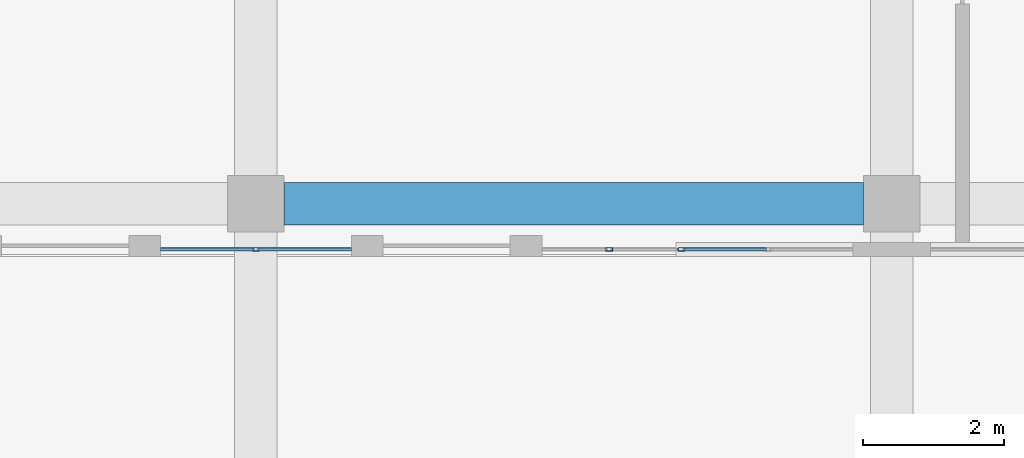
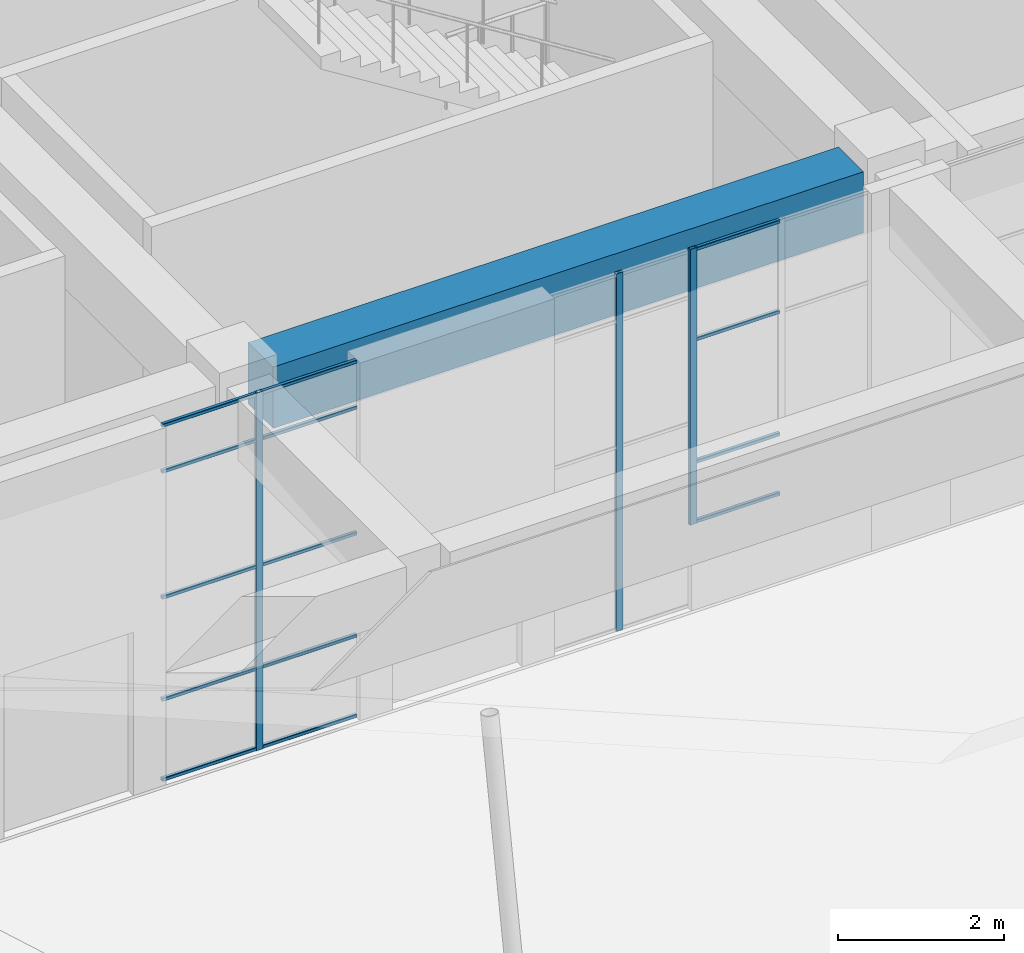
# One storey, part 31 of 72: 17 members, 1 beam, 3 elements without a shape of their own.
"""IFC4 building model written with IfcOpenShell, lengths in metres."""

from ifc_helpers import new_model, si_unit, direction, frame, origin, origin_2d, place, context, subcontext, project, spatial, rectangle, hollow_rectangle, extrude, material, layer, layer_set, material_profile, profile_set, type_object, element, aggregate, save


model = new_model("IFC4")

# Units and contexts
model_context = context("Model", 3, precision=1e-05, world=origin(), true_north=direction((0.0, 1.0)))
body_context = subcontext(model_context, "Body", "Model", "MODEL_VIEW")
ifc_project = project(units=[si_unit("LENGTHUNIT", "METRE"), si_unit("AREAUNIT", "SQUARE_METRE"), si_unit("VOLUMEUNIT", "CUBIC_METRE"), si_unit("PLANEANGLEUNIT", "RADIAN"), si_unit("MASSUNIT", "GRAM", prefix="KILO")], contexts=[model_context])

# Site, building, storey
site_placement = place(None, origin())
site = spatial("IfcSite", under=ifc_project, at=site_placement, CompositionType="ELEMENT")
building_placement = place(site_placement, origin())
building = spatial("IfcBuilding", under=site, at=building_placement, Name="Tuart Plaza Theatre", CompositionType="ELEMENT")
storey_placement = place(building_placement, origin())
storey = spatial("IfcBuildingStorey", under=building, at=storey_placement, Name="L00", CompositionType="ELEMENT", Elevation=0.0)

# Beam
ifc_material_1 = material(Name="Concrete N40 (40 MPa)", Category="concrete")
ifc_material_profile_1 = material_profile(ifc_material_1, rectangle(XDim=0.60009765625, YDim=0.89990234375, at=origin_2d()), Name="BEAM 600x900 Concrete N40 (40 MPa)")
ifc_profile_set_1 = profile_set([ifc_material_profile_1], Name="Concrete N40 (40 MPa)")
beam_type = type_object("IfcBeamType", Name="BEAM 600x900 Concrete N40 (40 MPa)", PredefinedType="BEAM", material=ifc_profile_set_1)
beam_placement = place(storey_placement, frame((132.39990234375, 56.0, 4.800048828125), z_axis=(1.0, 0.0, 0.0), x_axis=(0.0, 1.0, 0.0)))
element("IfcBeam", 1, at=beam_placement, inside=storey, type_object=beam_type, Name="RB144", PredefinedType="BEAM", context=body_context, shape_type="SweptSolid", body=[
    extrude(rectangle(XDim=0.60009765625, YDim=0.89990234375, at=origin_2d()), origin(), (0.0, 0.0, 1.0), 8.2001953125),
])

# Curtain wall, member
ifc_material_2 = material(Name="Aluminium and glass", Category="aluminium")
ifc_layer_1 = layer(ifc_material_2, 0.10009765625)
ifc_layer_set_1 = layer_set([ifc_layer_1], Name="CURTAIN WALL 1400 module")
curtain_wall_type_1 = type_object("IfcCurtainWallType", Name="CURTAIN WALL 1400 module", PredefinedType="NOTDEFINED", material=ifc_layer_set_1)
curtain_wall_1_placement = place(storey_placement, origin())
curtain_wall_1 = element("IfcCurtainWall", 2, at=curtain_wall_1_placement, inside=storey, type_object=curtain_wall_type_1, Name="CW63", PredefinedType="NOTDEFINED")
ifc_material_3 = material(Name="Aluminium 6063-T5", Category="aluminium")
ifc_material_profile_2 = material_profile(ifc_material_3, hollow_rectangle(XDim=0.050048828125, YDim=0.10009765625, WallThickness=0.00390625, InnerFilletRadius=0.00390625, OuterFilletRadius=0.008056640625, at=origin_2d()), Name="RHS 100x50x4")
ifc_profile_set_2 = profile_set([ifc_material_profile_2], Name="Aluminium 6063-T5")
member_type_1 = type_object("IfcMemberType", Name="MULLION RHS 100x50x4", PredefinedType="MULLION", material=ifc_profile_set_2)
member_1_placement = place(storey_placement, frame((132.0, 55.35009765625, 0.0), z_axis=(0.0, 0.0, 1.0), x_axis=(0.0, 1.0, 0.0)))
member_1 = element("IfcMember", 3, at=member_1_placement, type_object=member_type_1, Name="CW63 mullion 2", PredefinedType="MULLION", context=body_context, shape_type="SweptSolid", body=[
    extrude(hollow_rectangle(XDim=0.050048828125, YDim=0.10009765625, WallThickness=0.00390625, InnerFilletRadius=0.00390625, OuterFilletRadius=0.008056640625, at=origin_2d()), origin(), (0.0, 0.0, 1.0), 5.25),
])

ifc_material_4 = material(Name="Aluminium and glass", Category="aluminium")
ifc_layer_2 = layer(ifc_material_4, 0.10009765625)
ifc_layer_set_2 = layer_set([ifc_layer_2], Name="CURTAIN WALL 1000 module")
curtain_wall_type_2 = type_object("IfcCurtainWallType", Name="CURTAIN WALL 1000 module", PredefinedType="NOTDEFINED", material=ifc_layer_set_2)
curtain_wall_2_placement = place(storey_placement, origin())
curtain_wall_2 = element("IfcCurtainWall", 4, at=curtain_wall_2_placement, inside=storey, type_object=curtain_wall_type_2, Name="CW64", PredefinedType="NOTDEFINED")
member_2_placement = place(storey_placement, frame((137.0, 55.35009765625, 0.0), z_axis=(0.0, 0.0, 1.0), x_axis=(0.0, 1.0, 0.0)))
member_2 = element("IfcMember", 5, at=member_2_placement, type_object=member_type_1, Name="CW64 mullion 2", PredefinedType="MULLION", context=body_context, shape_type="SweptSolid", body=[
    extrude(hollow_rectangle(XDim=0.050048828125, YDim=0.10009765625, WallThickness=0.00390625, InnerFilletRadius=0.00390625, OuterFilletRadius=0.008056640625, at=origin_2d()), origin(), (0.0, 0.0, 1.0), 5.25),
])
aggregate(curtain_wall_2, [member_2])

ifc_material_5 = material(Name="Aluminium and glass", Category="aluminium")
ifc_layer_3 = layer(ifc_material_5, 0.10009765625)
ifc_layer_set_3 = layer_set([ifc_layer_3], Name="CURTAIN WALL 1250 module")
curtain_wall_type_3 = type_object("IfcCurtainWallType", Name="CURTAIN WALL 1250 module", PredefinedType="NOTDEFINED", material=ifc_layer_set_3)
curtain_wall_3_placement = place(storey_placement, origin())
curtain_wall_3 = element("IfcCurtainWall", 6, at=curtain_wall_3_placement, inside=storey, type_object=curtain_wall_type_3, Name="CW65", PredefinedType="NOTDEFINED")
member_3_placement = place(storey_placement, frame((138.02490234375, 55.35009765625, 1.199951171875), z_axis=(0.0, 0.0, 1.0), x_axis=(0.0, 1.0, 0.0)))
member_3 = element("IfcMember", 7, at=member_3_placement, type_object=member_type_1, Name="CW65 mullion 1", PredefinedType="MULLION", context=body_context, shape_type="SweptSolid", body=[
    extrude(hollow_rectangle(XDim=0.050048828125, YDim=0.10009765625, WallThickness=0.00390625, InnerFilletRadius=0.00390625, OuterFilletRadius=0.008056640625, at=origin_2d()), origin(), (0.0, 0.0, 1.0), 4.050048828125),
])

# Member
ifc_material_6 = material(Name="Aluminium 6063-T5", Category="aluminium")
ifc_material_profile_3 = material_profile(ifc_material_6, hollow_rectangle(XDim=0.050048828125, YDim=0.050048828125, WallThickness=0.00390625, InnerFilletRadius=0.00390625, OuterFilletRadius=0.008056640625, at=origin_2d()), Name="RHS 50x50x4")
ifc_profile_set_3 = profile_set([ifc_material_profile_3], Name="Aluminium 6063-T5")
member_type_2 = type_object("IfcMemberType", Name="TRANSOM RHS 50x50x4", PredefinedType="USERDEFINED", material=ifc_profile_set_3)
member_4_placement = place(storey_placement, frame((130.64990234375, 55.35009765625, 0.02490234375), z_axis=(1.0, 0.0, 0.0), x_axis=(0.0, 1.0, 0.0)))
member_4 = element("IfcMember", 8, at=member_4_placement, type_object=member_type_2, Name="CW63 transom 1.1", ObjectType="TRANSOM", PredefinedType="USERDEFINED", context=body_context, shape_type="SweptSolid", body=[
    extrude(hollow_rectangle(XDim=0.050048828125, YDim=0.050048828125, WallThickness=0.00390625, InnerFilletRadius=0.00390625, OuterFilletRadius=0.008056640625, at=origin_2d()), origin(), (0.0, 0.0, 1.0), 1.3251953125),
])

member_5_placement = place(storey_placement, frame((130.64990234375, 55.35009765625, 1.199951171875), z_axis=(1.0, 0.0, 0.0), x_axis=(0.0, 1.0, 0.0)))
member_5 = element("IfcMember", 9, at=member_5_placement, type_object=member_type_2, Name="CW63 transom 1.2", ObjectType="TRANSOM", PredefinedType="USERDEFINED", context=body_context, shape_type="SweptSolid", body=[
    extrude(hollow_rectangle(XDim=0.050048828125, YDim=0.050048828125, WallThickness=0.00390625, InnerFilletRadius=0.00390625, OuterFilletRadius=0.008056640625, at=origin_2d()), origin(), (0.0, 0.0, 1.0), 1.3251953125),
])

member_6_placement = place(storey_placement, frame((130.64990234375, 55.35009765625, 2.699951171875), z_axis=(1.0, 0.0, 0.0), x_axis=(0.0, 1.0, 0.0)))
member_6 = element("IfcMember", 10, at=member_6_placement, type_object=member_type_2, Name="CW63 transom 1.3", ObjectType="TRANSOM", PredefinedType="USERDEFINED", context=body_context, shape_type="SweptSolid", body=[
    extrude(hollow_rectangle(XDim=0.050048828125, YDim=0.050048828125, WallThickness=0.00390625, InnerFilletRadius=0.00390625, OuterFilletRadius=0.008056640625, at=origin_2d()), origin(), (0.0, 0.0, 1.0), 1.3251953125),
])

member_7_placement = place(storey_placement, frame((130.64990234375, 55.35009765625, 4.550048828125), z_axis=(1.0, 0.0, 0.0), x_axis=(0.0, 1.0, 0.0)))
member_7 = element("IfcMember", 11, at=member_7_placement, type_object=member_type_2, Name="CW63 transom 1.4", ObjectType="TRANSOM", PredefinedType="USERDEFINED", context=body_context, shape_type="SweptSolid", body=[
    extrude(hollow_rectangle(XDim=0.050048828125, YDim=0.050048828125, WallThickness=0.00390625, InnerFilletRadius=0.00390625, OuterFilletRadius=0.008056640625, at=origin_2d()), origin(), (0.0, 0.0, 1.0), 1.3251953125),
])

member_8_placement = place(storey_placement, frame((130.64990234375, 55.35009765625, 5.22509765625), z_axis=(1.0, 0.0, 0.0), x_axis=(0.0, 1.0, 0.0)))
member_8 = element("IfcMember", 12, at=member_8_placement, type_object=member_type_2, Name="CW63 transom 1.5", ObjectType="TRANSOM", PredefinedType="USERDEFINED", context=body_context, shape_type="SweptSolid", body=[
    extrude(hollow_rectangle(XDim=0.050048828125, YDim=0.050048828125, WallThickness=0.00390625, InnerFilletRadius=0.00390625, OuterFilletRadius=0.008056640625, at=origin_2d()), origin(), (0.0, 0.0, 1.0), 1.3251953125),
])

member_9_placement = place(storey_placement, frame((132.02490234375, 55.35009765625, 0.02490234375), z_axis=(1.0, 0.0, 0.0), x_axis=(0.0, 1.0, 0.0)))
member_9 = element("IfcMember", 13, at=member_9_placement, type_object=member_type_2, Name="CW63 transom 2.1", ObjectType="TRANSOM", PredefinedType="USERDEFINED", context=body_context, shape_type="SweptSolid", body=[
    extrude(hollow_rectangle(XDim=0.050048828125, YDim=0.050048828125, WallThickness=0.00390625, InnerFilletRadius=0.00390625, OuterFilletRadius=0.008056640625, at=origin_2d()), origin(), (0.0, 0.0, 1.0), 1.3251953125),
])

member_10_placement = place(storey_placement, frame((132.02490234375, 55.35009765625, 1.199951171875), z_axis=(1.0, 0.0, 0.0), x_axis=(0.0, 1.0, 0.0)))
member_10 = element("IfcMember", 14, at=member_10_placement, type_object=member_type_2, Name="CW63 transom 2.2", ObjectType="TRANSOM", PredefinedType="USERDEFINED", context=body_context, shape_type="SweptSolid", body=[
    extrude(hollow_rectangle(XDim=0.050048828125, YDim=0.050048828125, WallThickness=0.00390625, InnerFilletRadius=0.00390625, OuterFilletRadius=0.008056640625, at=origin_2d()), origin(), (0.0, 0.0, 1.0), 1.3251953125),
])

member_11_placement = place(storey_placement, frame((132.02490234375, 55.35009765625, 2.699951171875), z_axis=(1.0, 0.0, 0.0), x_axis=(0.0, 1.0, 0.0)))
member_11 = element("IfcMember", 15, at=member_11_placement, type_object=member_type_2, Name="CW63 transom 2.3", ObjectType="TRANSOM", PredefinedType="USERDEFINED", context=body_context, shape_type="SweptSolid", body=[
    extrude(hollow_rectangle(XDim=0.050048828125, YDim=0.050048828125, WallThickness=0.00390625, InnerFilletRadius=0.00390625, OuterFilletRadius=0.008056640625, at=origin_2d()), origin(), (0.0, 0.0, 1.0), 1.3251953125),
])

member_12_placement = place(storey_placement, frame((132.02490234375, 55.35009765625, 4.550048828125), z_axis=(1.0, 0.0, 0.0), x_axis=(0.0, 1.0, 0.0)))
member_12 = element("IfcMember", 16, at=member_12_placement, type_object=member_type_2, Name="CW63 transom 2.4", ObjectType="TRANSOM", PredefinedType="USERDEFINED", context=body_context, shape_type="SweptSolid", body=[
    extrude(hollow_rectangle(XDim=0.050048828125, YDim=0.050048828125, WallThickness=0.00390625, InnerFilletRadius=0.00390625, OuterFilletRadius=0.008056640625, at=origin_2d()), origin(), (0.0, 0.0, 1.0), 1.3251953125),
])

member_13_placement = place(storey_placement, frame((132.02490234375, 55.35009765625, 5.22509765625), z_axis=(1.0, 0.0, 0.0), x_axis=(0.0, 1.0, 0.0)))
member_13 = element("IfcMember", 17, at=member_13_placement, type_object=member_type_2, Name="CW63 transom 2.5", ObjectType="TRANSOM", PredefinedType="USERDEFINED", context=body_context, shape_type="SweptSolid", body=[
    extrude(hollow_rectangle(XDim=0.050048828125, YDim=0.050048828125, WallThickness=0.00390625, InnerFilletRadius=0.00390625, OuterFilletRadius=0.008056640625, at=origin_2d()), origin(), (0.0, 0.0, 1.0), 1.3251953125),
])

aggregate(curtain_wall_1, [member_1, member_4, member_5, member_6, member_7, member_8, member_9, member_10, member_11, member_12, member_13])

member_14_placement = place(storey_placement, frame((138.050048828125, 55.35009765625, 1.22509765625), z_axis=(1.0, 0.0, 0.0), x_axis=(0.0, 1.0, 0.0)))
member_14 = element("IfcMember", 18, at=member_14_placement, type_object=member_type_2, Name="CW65 transom 1.1", ObjectType="TRANSOM", PredefinedType="USERDEFINED", context=body_context, shape_type="SweptSolid", body=[
    extrude(hollow_rectangle(XDim=0.050048828125, YDim=0.050048828125, WallThickness=0.00390625, InnerFilletRadius=0.00390625, OuterFilletRadius=0.008056640625, at=origin_2d()), origin(), (0.0, 0.0, 1.0), 1.175048828125),
])

member_15_placement = place(storey_placement, frame((138.050048828125, 55.35009765625, 2.10009765625), z_axis=(1.0, 0.0, 0.0), x_axis=(0.0, 1.0, 0.0)))
member_15 = element("IfcMember", 19, at=member_15_placement, type_object=member_type_2, Name="CW65 transom 1.2", ObjectType="TRANSOM", PredefinedType="USERDEFINED", context=body_context, shape_type="SweptSolid", body=[
    extrude(hollow_rectangle(XDim=0.050048828125, YDim=0.050048828125, WallThickness=0.00390625, InnerFilletRadius=0.00390625, OuterFilletRadius=0.008056640625, at=origin_2d()), origin(), (0.0, 0.0, 1.0), 1.175048828125),
])

member_16_placement = place(storey_placement, frame((138.050048828125, 55.35009765625, 3.89990234375), z_axis=(1.0, 0.0, 0.0), x_axis=(0.0, 1.0, 0.0)))
member_16 = element("IfcMember", 20, at=member_16_placement, type_object=member_type_2, Name="CW65 transom 1.3", ObjectType="TRANSOM", PredefinedType="USERDEFINED", context=body_context, shape_type="SweptSolid", body=[
    extrude(hollow_rectangle(XDim=0.050048828125, YDim=0.050048828125, WallThickness=0.00390625, InnerFilletRadius=0.00390625, OuterFilletRadius=0.008056640625, at=origin_2d()), origin(), (0.0, 0.0, 1.0), 1.175048828125),
])

member_17_placement = place(storey_placement, frame((138.050048828125, 55.35009765625, 5.22509765625), z_axis=(1.0, 0.0, 0.0), x_axis=(0.0, 1.0, 0.0)))
member_17 = element("IfcMember", 21, at=member_17_placement, type_object=member_type_2, Name="CW65 transom 1.4", ObjectType="TRANSOM", PredefinedType="USERDEFINED", context=body_context, shape_type="SweptSolid", body=[
    extrude(hollow_rectangle(XDim=0.050048828125, YDim=0.050048828125, WallThickness=0.00390625, InnerFilletRadius=0.00390625, OuterFilletRadius=0.008056640625, at=origin_2d()), origin(), (0.0, 0.0, 1.0), 1.175048828125),
])

aggregate(curtain_wall_3, [member_3, member_14, member_15, member_16, member_17])

save(model, "model.ifc")
